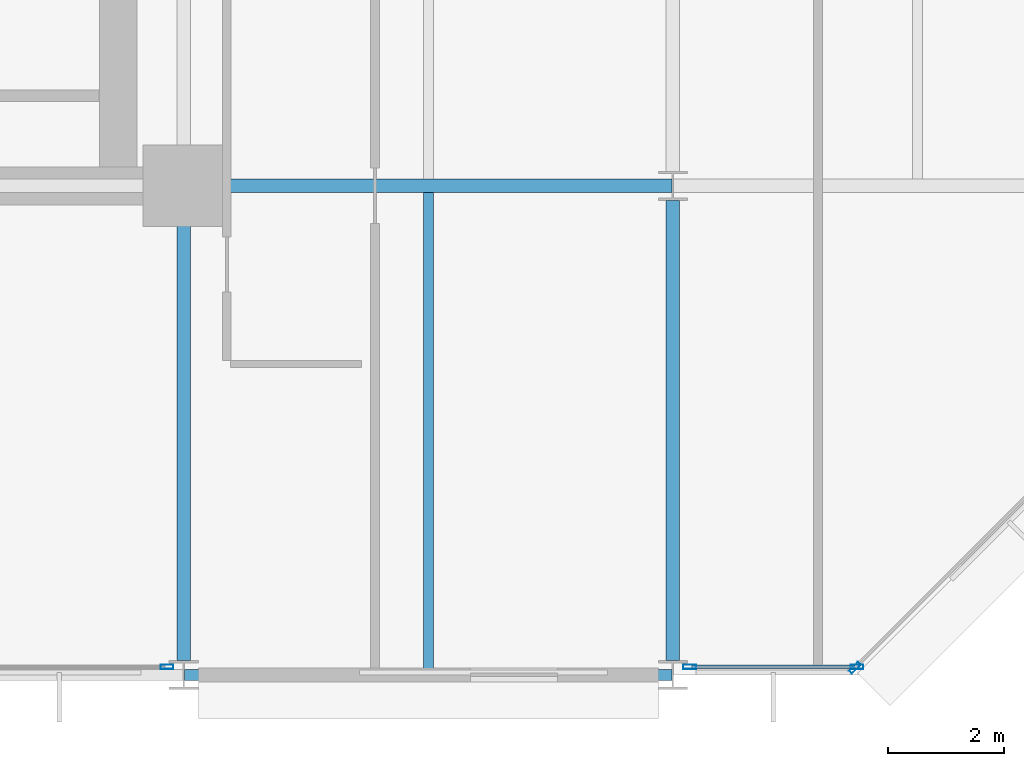
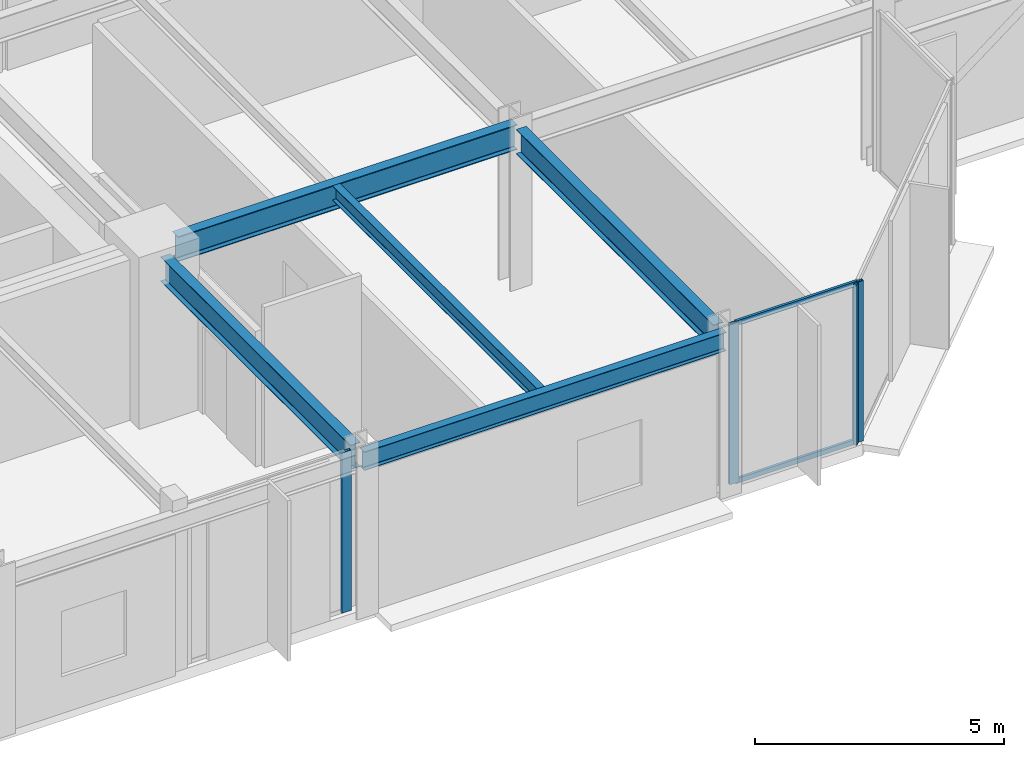
# One storey, part 11 of 30: 6 members, 5 beams, 3 elements without a shape of their own.
"""IFC4 building model written with IfcOpenShell, lengths in metres."""

from ifc_helpers import new_model, si_unit, direction, frame, origin, origin_2d, place, context, subcontext, project, spatial, hollow_rectangle, i_section, extrude, material, layer, layer_set, material_profile, profile_set, type_object, element, aggregate, save


model = new_model("IFC4")

# Units and contexts
model_context = context("Model", 3, precision=1e-05, world=origin(), true_north=direction((0.0, 1.0)))
body_context = subcontext(model_context, "Body", "Model", "MODEL_VIEW")
ifc_project = project(units=[si_unit("LENGTHUNIT", "METRE"), si_unit("AREAUNIT", "SQUARE_METRE"), si_unit("VOLUMEUNIT", "CUBIC_METRE"), si_unit("PLANEANGLEUNIT", "RADIAN"), si_unit("MASSUNIT", "GRAM", prefix="KILO")], contexts=[model_context])

# Site, building, storey
site_placement = place(None, origin())
site = spatial("IfcSite", under=ifc_project, at=site_placement, CompositionType="ELEMENT")
building_placement = place(site_placement, origin())
building = spatial("IfcBuilding", under=site, at=building_placement, Name="Nerrivon Quay Data Exchange", CompositionType="ELEMENT")
storey_placement = place(building_placement, frame((0.0, 0.0, 62.60009765625)))
storey = spatial("IfcBuildingStorey", under=building, at=storey_placement, Name="L14", CompositionType="ELEMENT", Elevation=62.60009765625)

# Beams
ifc_material_1 = material(Name="Steel Grade 350", Category="steel")
ifc_material_profile_1 = material_profile(ifc_material_1, i_section(OverallWidth=0.22900390625, OverallDepth=0.612060546875, WebThickness=0.011962890625, FlangeThickness=0.01953125, FilletRadius=0.013916015625, at=origin_2d()), Name="610UB125")
ifc_profile_set_1 = profile_set([ifc_material_profile_1], Name="Steel Grade 350")
beam_type_1 = type_object("IfcBeamType", Name="BM-G1-610UB125", PredefinedType="BEAM", material=ifc_profile_set_1)
beam_1_placement = place(storey_placement, frame((34.139892578125, 8.39990234375, 3.618896484375), z_axis=(1.0, 0.0, 0.0), x_axis=(0.0, 1.0, 0.0)))
element("IfcBeam", 1, at=beam_1_placement, inside=storey, type_object=beam_type_1, Name="L14 EW Girder Y=8.4 (33.6..42.0)", PredefinedType="BEAM", context=body_context, shape_type="SweptSolid", body=[
    extrude(i_section(OverallWidth=0.22900390625, OverallDepth=0.612060546875, WebThickness=0.011962890625, FlangeThickness=0.01953125, FilletRadius=0.013916015625, at=origin_2d()), origin(), (0.0, 0.0, 1.0), 7.84619140625),
])
ifc_material_profile_2 = material_profile(ifc_material_1, i_section(OverallWidth=0.22802734375, OverallDepth=0.60205078125, WebThickness=0.010498046875, FlangeThickness=0.014892578125, FilletRadius=0.013916015625, at=origin_2d()), Name="610UB101")
ifc_profile_set_2 = profile_set([ifc_material_profile_2], Name="Steel Grade 350")
beam_type_2 = type_object("IfcBeamType", Name="BM-G2-610UB101", PredefinedType="BEAM", material=ifc_profile_set_2)
beam_2_placement = place(storey_placement, frame((33.60009765625, 0.25, 3.6240234375), z_axis=(0.0, 1.0, 0.0), x_axis=(-1.0, 0.0, 0.0)))
element("IfcBeam", 2, at=beam_2_placement, inside=storey, type_object=beam_type_2, Name="L14 NS Girder X=33.6 (0.0..8.4)", PredefinedType="BEAM", context=body_context, shape_type="SweptSolid", body=[
    extrude(i_section(OverallWidth=0.22802734375, OverallDepth=0.60205078125, WebThickness=0.010498046875, FlangeThickness=0.014892578125, FilletRadius=0.013916015625, at=origin_2d()), origin(), (0.0, 0.0, 1.0), 7.610107421875),
])
beam_3_placement = place(storey_placement, frame((42.0, 0.25, 3.6240234375), z_axis=(0.0, 1.0, 0.0), x_axis=(-1.0, 0.0, 0.0)))
element("IfcBeam", 3, at=beam_3_placement, inside=storey, type_object=beam_type_2, Name="L14 NS Girder X=42.0 (0.0..8.4)", PredefinedType="BEAM", context=body_context, shape_type="SweptSolid", body=[
    extrude(i_section(OverallWidth=0.22802734375, OverallDepth=0.60205078125, WebThickness=0.010498046875, FlangeThickness=0.014892578125, FilletRadius=0.013916015625, at=origin_2d()), origin(), (0.0, 0.0, 1.0), 7.89990234375),
])
ifc_material_profile_3 = material_profile(ifc_material_1, i_section(OverallWidth=0.172119140625, OverallDepth=0.35888671875, WebThickness=0.008056640625, FlangeThickness=0.012939453125, FilletRadius=0.011474609375, at=origin_2d()), Name="360UB56.7")
ifc_profile_set_3 = profile_set([ifc_material_profile_3], Name="Steel Grade 350")
beam_type_3 = type_object("IfcBeamType", Name="BM-J3-360UB57", PredefinedType="JOIST", material=ifc_profile_set_3)
beam_4_placement = place(storey_placement, frame((37.800048828125, 0.094970703125, 3.745361328125), z_axis=(0.0, 1.0, 0.0), x_axis=(-1.0, 0.0, 0.0)))
element("IfcBeam", 4, at=beam_4_placement, inside=storey, type_object=beam_type_3, Name="L14 Secondary Joist X=37.8 (0.0..8.4)", PredefinedType="JOIST", context=body_context, shape_type="SweptSolid", body=[
    extrude(i_section(OverallWidth=0.172119140625, OverallDepth=0.35888671875, WebThickness=0.008056640625, FlangeThickness=0.012939453125, FilletRadius=0.011474609375, at=origin_2d()), origin(), (0.0, 0.0, 1.0), 8.1904296875),
])
ifc_material_profile_4 = material_profile(ifc_material_1, i_section(OverallWidth=0.18994140625, OverallDepth=0.4541015625, WebThickness=0.008544921875, FlangeThickness=0.0126953125, FilletRadius=0.011474609375, at=origin_2d()), Name="460UB67.1")
ifc_profile_set_4 = profile_set([ifc_material_profile_4], Name="Steel Grade 350")
beam_type_4 = type_object("IfcBeamType", Name="BM-SP1-460UB67", PredefinedType="SPANDREL", material=ifc_profile_set_4)
beam_5_placement = place(storey_placement, frame((33.614013671875, 0.0, 3.697998046875), z_axis=(1.0, 0.0, 0.0), x_axis=(0.0, 1.0, 0.0)))
element("IfcBeam", 5, at=beam_5_placement, inside=storey, type_object=beam_type_4, Name="L14 EW Girder Y=0.0 (33.6..42.0)", PredefinedType="SPANDREL", context=body_context, shape_type="SweptSolid", body=[
    extrude(i_section(OverallWidth=0.18994140625, OverallDepth=0.4541015625, WebThickness=0.008544921875, FlangeThickness=0.0126953125, FilletRadius=0.011474609375, at=origin_2d()), origin(), (0.0, 0.0, 1.0), 8.3720703125),
])

# Curtain wall, member
ifc_material_2 = material(Name="Anodised aluminium 6063-T6", Category="aluminium")
ifc_layer = layer(ifc_material_2, 0.219970703125)
ifc_layer_set = layer_set([ifc_layer], Name="Anodised aluminium 6063-T6")
curtain_wall_type = type_object("IfcCurtainWallType", Name="CW-SYS-01", PredefinedType="NOTDEFINED", material=ifc_layer_set)
curtain_wall_1_placement = place(storey_placement, origin())
curtain_wall_1 = element("IfcCurtainWall", 6, at=curtain_wall_1_placement, inside=storey, type_object=curtain_wall_type, Name="L14 Unitised Curtain Wall 5", PredefinedType="NOTDEFINED")
ifc_material_profile_5 = material_profile(ifc_material_2, hollow_rectangle(XDim=0.074951171875, YDim=0.219970703125, WallThickness=0.00390625, at=origin_2d()), Name="ALU-MULL-220x75")
ifc_profile_set_5 = profile_set([ifc_material_profile_5], Name="Anodised aluminium 6063-T6")
member_type_1 = type_object("IfcMemberType", Name="CWM-220x75", PredefinedType="MULLION", material=ifc_profile_set_5)
member_1_placement = place(storey_placement, frame((45.12744140625, 0.12548828125, 0.0), z_axis=(0.0, 0.0, 1.0), x_axis=(0.707106781187, -0.707106781187, 0.0)))
member_1 = element("IfcMember", 7, at=member_1_placement, type_object=member_type_1, Name="CW01 mullion 2", PredefinedType="MULLION", context=body_context, shape_type="SweptSolid", body=[
    extrude(hollow_rectangle(XDim=0.074951171875, YDim=0.219970703125, WallThickness=0.00390625, at=origin_2d()), origin(), (0.0, 0.0, 1.0), 3.9248046875),
])
aggregate(curtain_wall_1, [member_1])

# Curtain wall, members
curtain_wall_2_placement = place(storey_placement, origin())
curtain_wall_2 = element("IfcCurtainWall", 8, at=curtain_wall_2_placement, inside=storey, type_object=curtain_wall_type, Name="L14 Unitised Curtain Wall 6", PredefinedType="NOTDEFINED")
member_2_placement = place(storey_placement, frame((45.16259765625, 0.139892578125, 0.0), z_axis=(0.0, 0.0, 1.0), x_axis=(0.0, -1.0, 0.0)))
member_2 = element("IfcMember", 9, at=member_2_placement, type_object=member_type_1, Name="CW01 mullion 1", PredefinedType="MULLION", context=body_context, shape_type="SweptSolid", body=[
    extrude(hollow_rectangle(XDim=0.074951171875, YDim=0.219970703125, WallThickness=0.00390625, at=origin_2d()), origin(), (0.0, 0.0, 1.0), 3.9248046875),
])
member_3_placement = place(storey_placement, frame((42.28759765625, 0.139892578125, 0.0), z_axis=(0.0, 0.0, 1.0), x_axis=(0.0, -1.0, 0.0)))
member_3 = element("IfcMember", 10, at=member_3_placement, type_object=member_type_1, Name="CW01 mullion 2", PredefinedType="MULLION", context=body_context, shape_type="SweptSolid", body=[
    extrude(hollow_rectangle(XDim=0.074951171875, YDim=0.219970703125, WallThickness=0.00390625, at=origin_2d()), origin(), (0.0, 0.0, 1.0), 3.9248046875),
])

# Curtain wall, member
curtain_wall_3_placement = place(storey_placement, origin())
curtain_wall_3 = element("IfcCurtainWall", 11, at=curtain_wall_3_placement, inside=storey, type_object=curtain_wall_type, Name="L14 Unitised Curtain Wall 8", PredefinedType="NOTDEFINED")
member_4_placement = place(storey_placement, frame((33.3125, 0.139892578125, 0.0), z_axis=(0.0, 0.0, 1.0), x_axis=(0.0, -1.0, 0.0)))
member_4 = element("IfcMember", 12, at=member_4_placement, type_object=member_type_1, Name="CW01 mullion 1", PredefinedType="MULLION", context=body_context, shape_type="SweptSolid", body=[
    extrude(hollow_rectangle(XDim=0.074951171875, YDim=0.219970703125, WallThickness=0.00390625, at=origin_2d()), origin(), (0.0, 0.0, 1.0), 3.9248046875),
])
aggregate(curtain_wall_3, [member_4])

# Member
ifc_material_profile_6 = material_profile(ifc_material_2, hollow_rectangle(XDim=0.06005859375, YDim=0.1201171875, WallThickness=0.003173828125, at=origin_2d()), Name="ALU-TRAN-120x60")
ifc_profile_set_6 = profile_set([ifc_material_profile_6], Name="Anodised aluminium 6063-T6")
member_type_2 = type_object("IfcMemberType", Name="CWT-120x60", PredefinedType="USERDEFINED", material=ifc_profile_set_6)
member_5_placement = place(storey_placement, frame((45.125, 0.139892578125, 0.032470703125), z_axis=(-1.0, 0.0, 0.0), x_axis=(0.0, -1.0, 0.0)))
member_5 = element("IfcMember", 13, at=member_5_placement, type_object=member_type_2, Name="CW01 transom 1.1", ObjectType="TRANSOM", PredefinedType="USERDEFINED", context=body_context, shape_type="SweptSolid", body=[
    extrude(hollow_rectangle(XDim=0.06005859375, YDim=0.1201171875, WallThickness=0.003173828125, at=origin_2d()), origin(), (0.0, 0.0, 1.0), 2.800048828125),
])

member_6_placement = place(storey_placement, frame((45.125, 0.139892578125, 3.892333984375), z_axis=(-1.0, 0.0, 0.0), x_axis=(0.0, -1.0, 0.0)))
member_6 = element("IfcMember", 14, at=member_6_placement, type_object=member_type_2, Name="CW01 transom 1.2", ObjectType="TRANSOM", PredefinedType="USERDEFINED", context=body_context, shape_type="SweptSolid", body=[
    extrude(hollow_rectangle(XDim=0.06005859375, YDim=0.1201171875, WallThickness=0.003173828125, at=origin_2d()), origin(), (0.0, 0.0, 1.0), 2.800048828125),
])

aggregate(curtain_wall_2, [member_2, member_3, member_5, member_6])

save(model, "model.ifc")
